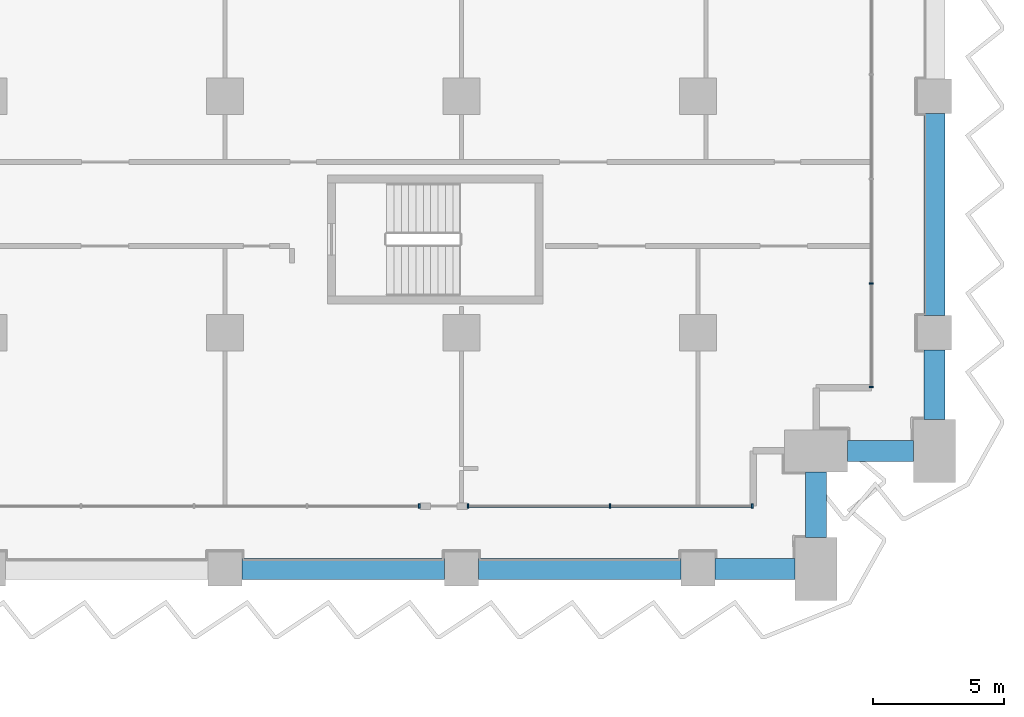
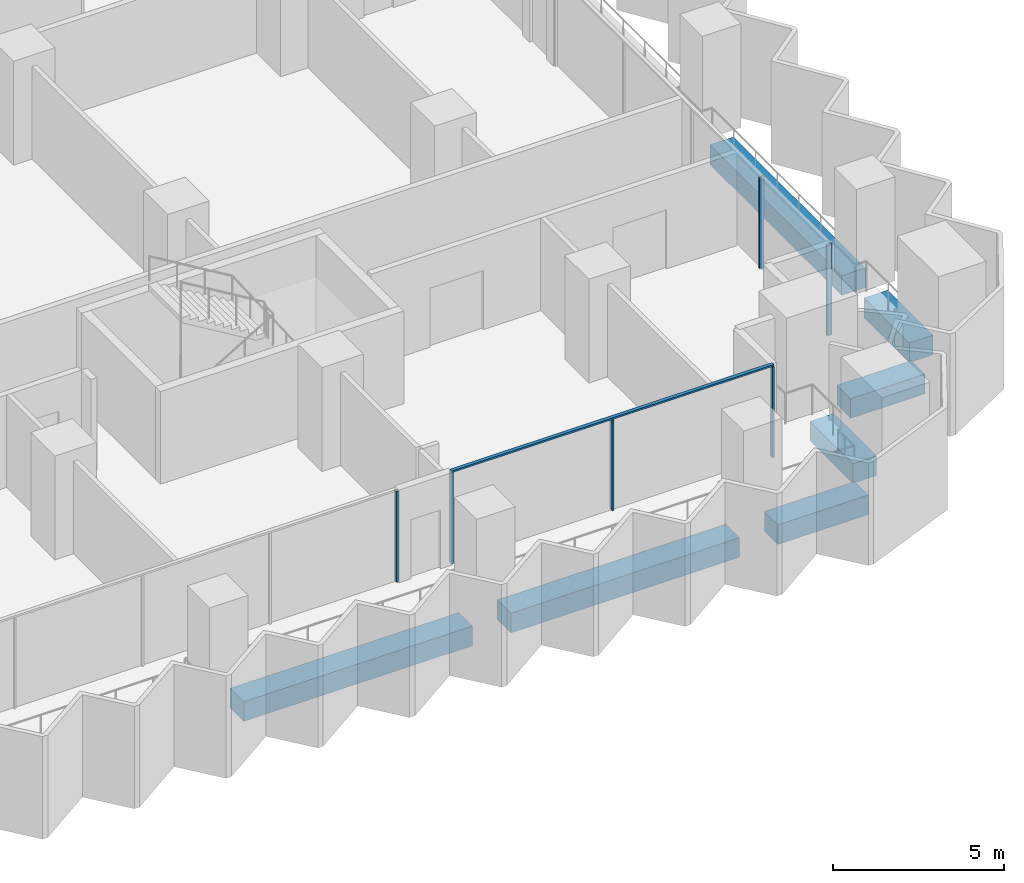
# One storey, part 6 of 28: 7 beams, 7 members, 3 elements without a shape of their own.
"""IFC4 building model written with IfcOpenShell, lengths in metres."""

import ifcopenshell
import ifcopenshell.guid

model = None  # the IFC model being written
_history = None  # IfcOwnerHistory: only IFC2X3 demands one
_inside = {}  # id of a spatial element -> (the spatial element, [elements in it])
_under = {}  # id of a project, library or spatial element -> (it, [spatial elements below it])
_declared = {}  # id of a project -> (the project, [libraries it declares])
_typed = {}  # id of a type object -> (the type object, [elements of that type])
_made_of = {}  # id of a material, layer set ... -> (it, [elements and type objects made of it])


def new_model(schema):
    """Start an empty IFC model of exactly this schema.

    Asked for "IFC4X3", IfcOpenShell would pick the latest addendum, in which some entities
    have other attributes; the version numbers below select the first issue.
    IFC2X3 requires an IfcOwnerHistory on every rooted entity: one is made here for all.
    """
    global model, _history
    if schema == "IFC4X3":
        model = ifcopenshell.file(schema_version=(4, 3, 0, 0))
    else:
        model = ifcopenshell.file(schema=schema)
    _inside.clear()
    _under.clear()
    _declared.clear()
    _typed.clear()
    _made_of.clear()
    _history = None
    if model.schema == "IFC2X3":
        org = make("IfcOrganization", Name="unknown")
        user = make(
            "IfcPersonAndOrganization",
            ThePerson=make("IfcPerson", FamilyName="unknown"),
            TheOrganization=org,
        )
        app = make(
            "IfcApplication",
            ApplicationDeveloper=org,
            Version="unknown",
            ApplicationFullName="unknown",
            ApplicationIdentifier="unknown",
        )
        _history = make(
            "IfcOwnerHistory",
            OwningUser=user,
            OwningApplication=app,
            ChangeAction="ADDED",
            CreationDate=0,
        )
    return model


def make(cls, **values):
    """One entity of the class cls with the attributes given. An attribute that is None is left unset."""
    return model.create_entity(
        cls, **{name: value for name, value in values.items() if value is not None}
    )


def rooted(cls, **values):
    """An entity with a GlobalId (a new one), such as an element, a storey or a relation."""
    return make(cls, GlobalId=ifcopenshell.guid.new(), OwnerHistory=_history, **values)


def si_unit(unit_type, name, prefix=None):
    """IfcSIUnit, for example si_unit("LENGTHUNIT", "METRE", prefix="MILLI")."""
    return make("IfcSIUnit", UnitType=unit_type, Prefix=prefix, Name=name)


def assignment(units):
    """IfcUnitAssignment: the units of a project."""
    return None if units is None else make("IfcUnitAssignment", Units=units)


def point(xyz):
    """IfcCartesianPoint."""
    return None if xyz is None else make("IfcCartesianPoint", Coordinates=xyz)


def direction(xyz):
    """IfcDirection."""
    return None if xyz is None else make("IfcDirection", DirectionRatios=xyz)


def frame(location, z_axis=None, x_axis=None):
    """IfcAxis2Placement3D, a coordinate frame: its origin and axes. An axis left out is left unset."""
    return make(
        "IfcAxis2Placement3D",
        Location=point(location),
        Axis=direction(z_axis),
        RefDirection=direction(x_axis),
    )


def frame_2d(location, x_axis=None):
    """IfcAxis2Placement2D, a coordinate frame in the plane: its origin and x axis."""
    return make(
        "IfcAxis2Placement2D", Location=point(location), RefDirection=direction(x_axis)
    )


def origin():
    """The frame at (0, 0, 0) with its axes left unset."""
    return frame((0.0, 0.0, 0.0))


def origin_2d():
    """The frame at (0, 0) in the plane with its x axis left unset."""
    return frame_2d((0.0, 0.0))


def place(relative_to, where):
    """IfcLocalPlacement: puts the frame where relative to a parent placement (None: the world)."""
    return make(
        "IfcLocalPlacement", PlacementRelTo=relative_to, RelativePlacement=where
    )


def context(
    kind, dimensions, precision=None, world=None, true_north=None, identifier=None
):
    """IfcGeometricRepresentationContext, for example the 3D "Model" context."""
    return make(
        "IfcGeometricRepresentationContext",
        ContextIdentifier=identifier,
        ContextType=kind,
        CoordinateSpaceDimension=dimensions,
        Precision=precision,
        WorldCoordinateSystem=world,
        TrueNorth=true_north,
    )


def subcontext(parent, identifier, kind, view, scale=None):
    """IfcGeometricRepresentationSubContext, for example "Body" below "Model"."""
    return make(
        "IfcGeometricRepresentationSubContext",
        ContextIdentifier=identifier,
        ContextType=kind,
        ParentContext=parent,
        TargetScale=scale,
        TargetView=view,
    )


def project(units=None, contexts=None):
    """IfcProject with its units and contexts."""
    return rooted(
        "IfcProject",
        Name="project",
        RepresentationContexts=contexts,
        UnitsInContext=assignment(units),
    )


def spatial(cls, under=None, at=None, **own):
    """A site, building, storey or space (cls), placed at a placement, below another one or the project."""
    s = rooted(cls, ObjectPlacement=at, **own)
    if under is not None:
        _under.setdefault(under.id(), (under, []))[1].append(s)
    return s


def profile(cls, at=None, kind="AREA", **sizes):
    """A parametric profile (cls). Its sizes go by their IFC names, for example OverallWidth=200.0."""
    return make(cls, ProfileType=kind, Position=at, **sizes)


def rectangle(**sizes):
    """IfcRectangleProfileDef."""
    return profile("IfcRectangleProfileDef", **sizes)


def extrude(swept, where, along, depth):
    """IfcExtrudedAreaSolid: the profile swept, set in the frame where, extruded along a direction by depth."""
    return make(
        "IfcExtrudedAreaSolid",
        SweptArea=swept,
        Position=where,
        ExtrudedDirection=direction(along),
        Depth=depth,
    )


def shape(context_of_items, identifier, shape_type, items):
    """IfcShapeRepresentation: the items that make up one representation, for example the "Body"."""
    return make(
        "IfcShapeRepresentation",
        ContextOfItems=context_of_items,
        RepresentationIdentifier=identifier,
        RepresentationType=shape_type,
        Items=items,
    )


def material(Name=None, Category=None):
    """IfcMaterial."""
    return make("IfcMaterial", Name=Name, Category=Category)


def material_profile(
    of_material, cross_section, Name=None, Category=None, Priority=None
):
    """IfcMaterialProfile: a cross section and its material."""
    return make(
        "IfcMaterialProfile",
        Name=Name,
        Material=of_material,
        Profile=cross_section,
        Priority=Priority,
        Category=Category,
    )


def profile_set(profiles, Name=None, composite=None):
    """IfcMaterialProfileSet."""
    return make(
        "IfcMaterialProfileSet",
        Name=Name,
        MaterialProfiles=profiles,
        CompositeProfile=composite,
    )


def made_of(thing, what):
    """Note that an element or type object is made of a material, layer set ...; save() writes the relation."""
    if what is not None:
        _made_of.setdefault(what.id(), (what, []))[1].append(thing)
    return thing


def type_object(cls, material=None, **own):
    """A type object (cls), such as IfcWallType, which elements share."""
    return made_of(rooted(cls, **own), material)


def element(
    cls,
    number,
    at=None,
    inside=None,
    cuts=None,
    type_object=None,
    material=None,
    context=None,
    identifier="Body",
    shape_type=None,
    held_by="IfcProductDefinitionShape",
    body=None,
    shapes=None,
    **own,
):
    """One element of the class cls, such as IfcWall. Its Tag is "e" and its number.

    at: its placement. inside: the storey or other place that contains it. cuts: it is an
    opening in that element (IfcRelVoidsElement). A single representation is given by context,
    identifier, shape_type and body (its items); several are given by shapes. held_by: the class
    of the entity that holds the representations. save() writes the other relations.
    """
    e = rooted(cls, Tag="e%d" % number, ObjectPlacement=at, **own)
    if body is not None:
        shapes = [shape(context, identifier, shape_type, body)]
    if shapes is not None:
        e.Representation = make(held_by, Representations=shapes)
    if inside is not None:
        _inside.setdefault(inside.id(), (inside, []))[1].append(e)
    if cuts is not None:
        rooted(
            "IfcRelVoidsElement", RelatingBuildingElement=cuts, RelatedOpeningElement=e
        )
    if type_object is not None:
        _typed.setdefault(type_object.id(), (type_object, []))[1].append(e)
    return made_of(e, material)


def aggregate(whole, parts):
    """IfcRelAggregates: a whole, such as a stair, and the parts it consists of."""
    return rooted("IfcRelAggregates", RelatingObject=whole, RelatedObjects=parts)


def save(model, path):
    """Write the relations noted so far, then the file.

    IfcRelAggregates (storeys below a building ...), IfcRelContainedInSpatialStructure (elements
    in a storey), IfcRelDefinesByType, IfcRelAssociatesMaterial and IfcRelDeclares: one each for
    every whole, place, type object, material and project.
    """
    for whole, parts in _under.values():
        aggregate(whole, parts)
    for where, things in _inside.values():
        rooted(
            "IfcRelContainedInSpatialStructure",
            RelatedElements=things,
            RelatingStructure=where,
        )
    for kind, things in _typed.values():
        rooted("IfcRelDefinesByType", RelatedObjects=things, RelatingType=kind)
    for what, things in _made_of.values():
        rooted("IfcRelAssociatesMaterial", RelatedObjects=things, RelatingMaterial=what)
    for by, libraries in _declared.values():
        rooted("IfcRelDeclares", RelatingContext=by, RelatedDefinitions=libraries)
    model.write(path)


model = new_model("IFC4")

# Units and contexts
model_context = context("Model", 3, precision=1e-05, world=origin(), true_north=direction((0.0, 1.0)))
body_context = subcontext(model_context, "Body", "Model", "MODEL_VIEW")
ifc_project = project(units=[si_unit("LENGTHUNIT", "METRE"), si_unit("AREAUNIT", "SQUARE_METRE"), si_unit("VOLUMEUNIT", "CUBIC_METRE"), si_unit("PLANEANGLEUNIT", "RADIAN"), si_unit("MASSUNIT", "GRAM", prefix="KILO")], contexts=[model_context])

# Site, building, storey
site_placement = place(None, origin())
site = spatial("IfcSite", under=ifc_project, at=site_placement, CompositionType="ELEMENT")
building_placement = place(site_placement, origin())
building = spatial("IfcBuilding", under=site, at=building_placement, Name="Hunhe Ridgeline Campus", CompositionType="ELEMENT")
storey_placement = place(building_placement, frame((0.0, 0.0, 61.699951171875)))
storey = spatial("IfcBuildingStorey", under=building, at=storey_placement, Name="L14", CompositionType="ELEMENT", Elevation=61.699951171875)

# Curtain wall, member
ifc_material_1 = material(Name="Aluminium 6063", Category="aluminium")
curtain_wall_type = type_object("IfcCurtainWallType", Name="Curtain wall CW-1", PredefinedType="NOTDEFINED", material=ifc_material_1)
curtain_wall_1_placement = place(storey_placement, origin())
curtain_wall_1 = element("IfcCurtainWall", 1, at=curtain_wall_1_placement, inside=storey, type_object=curtain_wall_type, Name="Curtain wall 13", PredefinedType="NOTDEFINED")
ifc_material_profile_1 = material_profile(ifc_material_1, rectangle(XDim=0.159912109375, YDim=0.06005859375, at=origin_2d()))
ifc_profile_set_1 = profile_set([ifc_material_profile_1], Name="Aluminium 6063")
member_type_1 = type_object("IfcMemberType", Name="CW-1 aluminium mullion", PredefinedType="MULLION", material=ifc_profile_set_1)
member_1_placement = place(storey_placement, frame((79.39404296875, 56.40087890625, 0.0), z_axis=(0.0, 0.0, 1.0), x_axis=(-3.602063e-06, 0.999999999994, 0.0)))
member_1 = element("IfcMember", 2, at=member_1_placement, type_object=member_type_1, Name="CW-1 mullion 9", PredefinedType="MULLION", context=body_context, shape_type="SweptSolid", body=[
    extrude(rectangle(XDim=0.159912109375, YDim=0.06005859375, at=origin_2d()), origin(), (0.0, 0.0, 1.0), 3.239990234375),
])
aggregate(curtain_wall_1, [member_1])

# Curtain wall, members
curtain_wall_2_placement = place(storey_placement, origin())
curtain_wall_2 = element("IfcCurtainWall", 3, at=curtain_wall_2_placement, inside=storey, type_object=curtain_wall_type, Name="Curtain wall 14", PredefinedType="NOTDEFINED")
member_2_placement = place(storey_placement, frame((81.254150390625, 56.40087890625, 0.0), z_axis=(0.0, 0.0, 1.0), x_axis=(-3.58625e-06, 0.999999999994, 0.0)))
member_2 = element("IfcMember", 4, at=member_2_placement, type_object=member_type_1, Name="CW-1 mullion 1", PredefinedType="MULLION", context=body_context, shape_type="SweptSolid", body=[
    extrude(rectangle(XDim=0.159912109375, YDim=0.06005859375, at=origin_2d()), origin(), (0.0, 0.0, 1.0), 3.239990234375),
])
member_3_placement = place(storey_placement, frame((86.66162109375, 56.40087890625, 0.0), z_axis=(0.0, 0.0, 1.0), x_axis=(-3.58625e-06, 0.999999999994, 0.0)))
member_3 = element("IfcMember", 5, at=member_3_placement, type_object=member_type_1, Name="CW-1 mullion 2", PredefinedType="MULLION", context=body_context, shape_type="SweptSolid", body=[
    extrude(rectangle(XDim=0.159912109375, YDim=0.06005859375, at=origin_2d()), origin(), (0.0, 0.0, 1.0), 3.239990234375),
])
member_4_placement = place(storey_placement, frame((92.069091796875, 56.40087890625, 0.0), z_axis=(0.0, 0.0, 1.0), x_axis=(-3.58625e-06, 0.999999999994, 0.0)))
member_4 = element("IfcMember", 6, at=member_4_placement, type_object=member_type_1, Name="CW-1 mullion 3", PredefinedType="MULLION", context=body_context, shape_type="SweptSolid", body=[
    extrude(rectangle(XDim=0.159912109375, YDim=0.06005859375, at=origin_2d()), origin(), (0.0, 0.0, 1.0), 3.239990234375),
])

curtain_wall_3_placement = place(storey_placement, origin())
curtain_wall_3 = element("IfcCurtainWall", 7, at=curtain_wall_3_placement, inside=storey, type_object=curtain_wall_type, Name="Curtain wall 15", PredefinedType="NOTDEFINED")
member_5_placement = place(storey_placement, frame((96.59912109375, 60.930908203125, 0.0), z_axis=(0.0, 0.0, 1.0), x_axis=(-1.0, 0.0, 0.0)))
member_5 = element("IfcMember", 8, at=member_5_placement, type_object=member_type_1, Name="CW-1 mullion 1", PredefinedType="MULLION", context=body_context, shape_type="SweptSolid", body=[
    extrude(rectangle(XDim=0.159912109375, YDim=0.06005859375, at=origin_2d()), origin(), (0.0, 0.0, 1.0), 3.239990234375),
])
member_6_placement = place(storey_placement, frame((96.59912109375, 64.8759765625, 0.0), z_axis=(0.0, 0.0, 1.0), x_axis=(-1.0, 0.0, 0.0)))
member_6 = element("IfcMember", 9, at=member_6_placement, type_object=member_type_1, Name="CW-1 mullion 2", PredefinedType="MULLION", context=body_context, shape_type="SweptSolid", body=[
    extrude(rectangle(XDim=0.159912109375, YDim=0.06005859375, at=origin_2d()), origin(), (0.0, 0.0, 1.0), 3.239990234375),
])
aggregate(curtain_wall_3, [member_5, member_6])

# Member
ifc_material_profile_2 = material_profile(ifc_material_1, rectangle(XDim=0.1201171875, YDim=0.06005859375, at=origin_2d()))
ifc_profile_set_2 = profile_set([ifc_material_profile_2], Name="Aluminium 6063")
member_type_2 = type_object("IfcMemberType", Name="CW-1 aluminium transom", PredefinedType="USERDEFINED", material=ifc_profile_set_2)
member_7_placement = place(storey_placement, frame((81.22412109375, 56.40087890625, 3.27001953125), z_axis=(1.0, 0.0, 0.0), x_axis=(0.0, 1.0, 0.0)))
member_7 = element("IfcMember", 10, at=member_7_placement, type_object=member_type_2, Name="CW-1 transom 1", ObjectType="TRANSOM", PredefinedType="USERDEFINED", context=body_context, shape_type="SweptSolid", body=[
    extrude(rectangle(XDim=0.1201171875, YDim=0.06005859375, at=origin_2d()), origin(), (0.0, 0.0, 1.0), 10.875),
])

aggregate(curtain_wall_2, [member_7, member_2, member_3, member_4])

# Beams
ifc_material_2 = material(Name="Concrete C60", Category="concrete")
ifc_material_profile_3 = material_profile(ifc_material_2, rectangle(XDim=0.800048828125, YDim=0.699951171875, at=origin_2d()))
ifc_profile_set_3 = profile_set([ifc_material_profile_3], Name="Concrete C60")
beam_type = type_object("IfcBeamType", Name="RC spandrel beam 800x700 Concrete C60", PredefinedType="SPANDREL", material=ifc_profile_set_3)
for number, where, z_axis, x_axis, name in (
    (11, (72.64990234375, 54.0, -0.599853515625), (1.0, 0.0, 0.0), (0.0, 1.0, 0.0), "Spandrel beam B1-15 L14"),
    (12, (81.64990234375, 54.0, -0.599853515625), (1.0, 0.0, 0.0), (0.0, 1.0, 0.0), "Spandrel beam B1-16 L14"),
):
    element("IfcBeam", number, at=place(storey_placement, frame(where, z_axis=z_axis, x_axis=x_axis)), inside=storey, type_object=beam_type, Name=name, PredefinedType="SPANDREL", context=body_context, shape_type="SweptSolid", body=[
        extrude(rectangle(XDim=0.800048828125, YDim=0.699951171875, at=origin_2d()), origin(), (0.0, 0.0, 1.0), 7.7001953125),
    ])
beam_1_placement = place(storey_placement, frame((90.64990234375, 54.0, -0.599853515625), z_axis=(1.0, 0.0, 0.0), x_axis=(0.0, 1.0, 0.0)))
element("IfcBeam", 13, at=beam_1_placement, inside=storey, type_object=beam_type, Name="Spandrel beam B1-17 L14", PredefinedType="SPANDREL", context=body_context, shape_type="SweptSolid", body=[
    extrude(rectangle(XDim=0.800048828125, YDim=0.699951171875, at=origin_2d()), origin(), (0.0, 0.0, 1.0), 3.050048828125),
])
for number, where, z_axis, x_axis, name in (
    (14, (94.5, 55.199951171875, -0.599853515625), (0.0, 1.0, 0.0), (-1.0, 0.0, 0.0), "Spandrel beam B1-18 L14"),
    (15, (95.699951171875, 58.5, -0.599853515625), (1.0, 0.0, 0.0), (0.0, 1.0, 0.0), "Spandrel beam B1-19 L14"),
):
    element("IfcBeam", number, at=place(storey_placement, frame(where, z_axis=z_axis, x_axis=x_axis)), inside=storey, type_object=beam_type, Name=name, PredefinedType="SPANDREL", context=body_context, shape_type="SweptSolid", body=[
        extrude(rectangle(XDim=0.800048828125, YDim=0.699951171875, at=origin_2d()), origin(), (0.0, 0.0, 1.0), 2.5),
    ])
beam_2_placement = place(storey_placement, frame((99.0, 59.699951171875, -0.599853515625), z_axis=(0.0, 1.0, 0.0), x_axis=(-1.0, 0.0, 0.0)))
element("IfcBeam", 16, at=beam_2_placement, inside=storey, type_object=beam_type, Name="Spandrel beam B1-20 L14", PredefinedType="SPANDREL", context=body_context, shape_type="SweptSolid", body=[
    extrude(rectangle(XDim=0.800048828125, YDim=0.699951171875, at=origin_2d()), origin(), (0.0, 0.0, 1.0), 2.650146484375),
])
beam_3_placement = place(storey_placement, frame((99.0, 63.64990234375, -0.599853515625), z_axis=(0.0, 1.0, 0.0), x_axis=(-1.0, 0.0, 0.0)))
element("IfcBeam", 17, at=beam_3_placement, inside=storey, type_object=beam_type, Name="Spandrel beam B1-21 L14", PredefinedType="SPANDREL", context=body_context, shape_type="SweptSolid", body=[
    extrude(rectangle(XDim=0.800048828125, YDim=0.699951171875, at=origin_2d()), origin(), (0.0, 0.0, 1.0), 7.7001953125),
])

save(model, "model.ifc")
